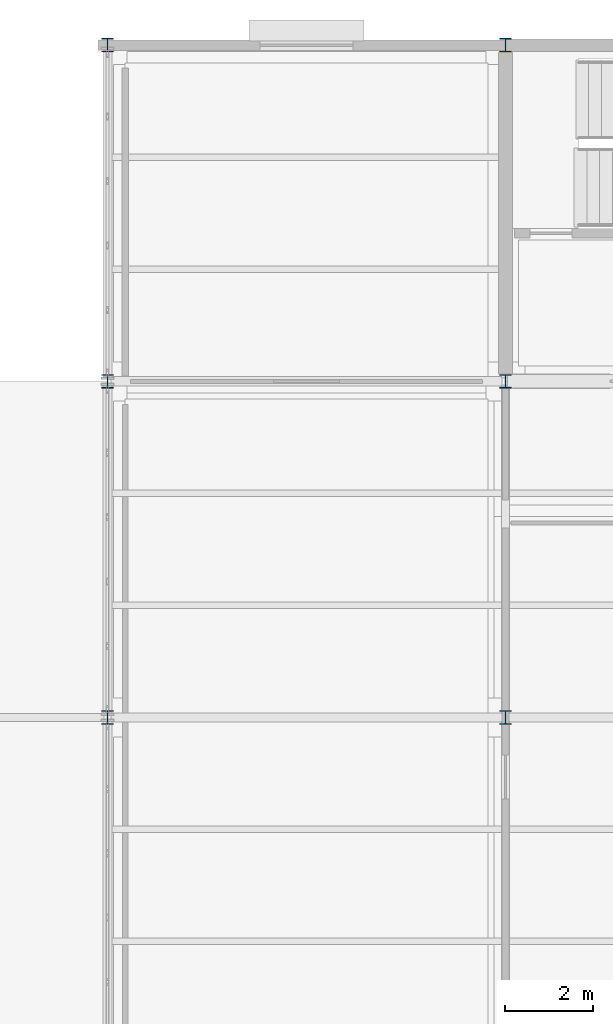
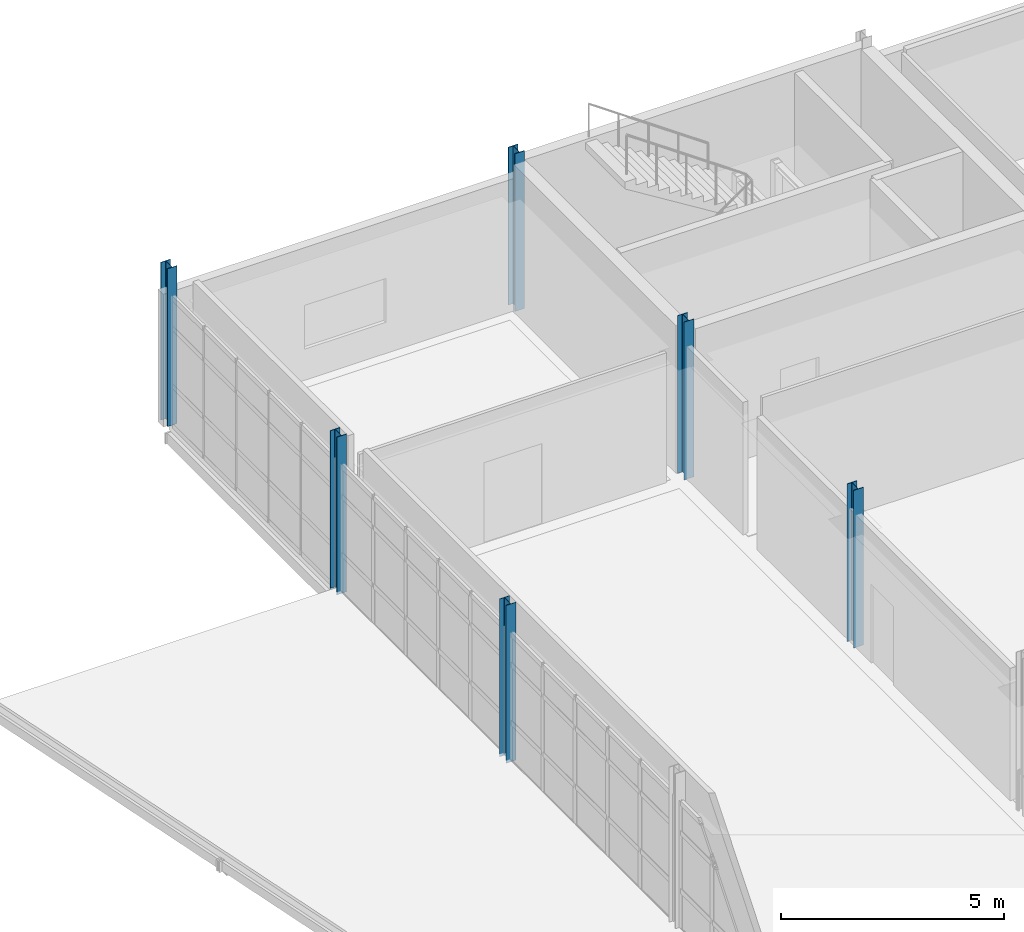
# One storey, part 12 of 96: 6 columns.
"""IFC4 building model written with IfcOpenShell, lengths in metres."""

import ifcopenshell
import ifcopenshell.guid

model = None  # the IFC model being written
_history = None  # IfcOwnerHistory: only IFC2X3 demands one
_inside = {}  # id of a spatial element -> (the spatial element, [elements in it])
_under = {}  # id of a project, library or spatial element -> (it, [spatial elements below it])
_declared = {}  # id of a project -> (the project, [libraries it declares])
_typed = {}  # id of a type object -> (the type object, [elements of that type])
_made_of = {}  # id of a material, layer set ... -> (it, [elements and type objects made of it])


def new_model(schema):
    """Start an empty IFC model of exactly this schema.

    Asked for "IFC4X3", IfcOpenShell would pick the latest addendum, in which some entities
    have other attributes; the version numbers below select the first issue.
    IFC2X3 requires an IfcOwnerHistory on every rooted entity: one is made here for all.
    """
    global model, _history
    if schema == "IFC4X3":
        model = ifcopenshell.file(schema_version=(4, 3, 0, 0))
    else:
        model = ifcopenshell.file(schema=schema)
    _inside.clear()
    _under.clear()
    _declared.clear()
    _typed.clear()
    _made_of.clear()
    _history = None
    if model.schema == "IFC2X3":
        org = make("IfcOrganization", Name="unknown")
        user = make(
            "IfcPersonAndOrganization",
            ThePerson=make("IfcPerson", FamilyName="unknown"),
            TheOrganization=org,
        )
        app = make(
            "IfcApplication",
            ApplicationDeveloper=org,
            Version="unknown",
            ApplicationFullName="unknown",
            ApplicationIdentifier="unknown",
        )
        _history = make(
            "IfcOwnerHistory",
            OwningUser=user,
            OwningApplication=app,
            ChangeAction="ADDED",
            CreationDate=0,
        )
    return model


def make(cls, **values):
    """One entity of the class cls with the attributes given. An attribute that is None is left unset."""
    return model.create_entity(
        cls, **{name: value for name, value in values.items() if value is not None}
    )


def rooted(cls, **values):
    """An entity with a GlobalId (a new one), such as an element, a storey or a relation."""
    return make(cls, GlobalId=ifcopenshell.guid.new(), OwnerHistory=_history, **values)


def si_unit(unit_type, name, prefix=None):
    """IfcSIUnit, for example si_unit("LENGTHUNIT", "METRE", prefix="MILLI")."""
    return make("IfcSIUnit", UnitType=unit_type, Prefix=prefix, Name=name)


def assignment(units):
    """IfcUnitAssignment: the units of a project."""
    return None if units is None else make("IfcUnitAssignment", Units=units)


def point(xyz):
    """IfcCartesianPoint."""
    return None if xyz is None else make("IfcCartesianPoint", Coordinates=xyz)


def direction(xyz):
    """IfcDirection."""
    return None if xyz is None else make("IfcDirection", DirectionRatios=xyz)


def frame(location, z_axis=None, x_axis=None):
    """IfcAxis2Placement3D, a coordinate frame: its origin and axes. An axis left out is left unset."""
    return make(
        "IfcAxis2Placement3D",
        Location=point(location),
        Axis=direction(z_axis),
        RefDirection=direction(x_axis),
    )


def frame_2d(location, x_axis=None):
    """IfcAxis2Placement2D, a coordinate frame in the plane: its origin and x axis."""
    return make(
        "IfcAxis2Placement2D", Location=point(location), RefDirection=direction(x_axis)
    )


def origin():
    """The frame at (0, 0, 0) with its axes left unset."""
    return frame((0.0, 0.0, 0.0))


def origin_2d():
    """The frame at (0, 0) in the plane with its x axis left unset."""
    return frame_2d((0.0, 0.0))


def place(relative_to, where):
    """IfcLocalPlacement: puts the frame where relative to a parent placement (None: the world)."""
    return make(
        "IfcLocalPlacement", PlacementRelTo=relative_to, RelativePlacement=where
    )


def context(
    kind, dimensions, precision=None, world=None, true_north=None, identifier=None
):
    """IfcGeometricRepresentationContext, for example the 3D "Model" context."""
    return make(
        "IfcGeometricRepresentationContext",
        ContextIdentifier=identifier,
        ContextType=kind,
        CoordinateSpaceDimension=dimensions,
        Precision=precision,
        WorldCoordinateSystem=world,
        TrueNorth=true_north,
    )


def subcontext(parent, identifier, kind, view, scale=None):
    """IfcGeometricRepresentationSubContext, for example "Body" below "Model"."""
    return make(
        "IfcGeometricRepresentationSubContext",
        ContextIdentifier=identifier,
        ContextType=kind,
        ParentContext=parent,
        TargetScale=scale,
        TargetView=view,
    )


def project(units=None, contexts=None):
    """IfcProject with its units and contexts."""
    return rooted(
        "IfcProject",
        Name="project",
        RepresentationContexts=contexts,
        UnitsInContext=assignment(units),
    )


def spatial(cls, under=None, at=None, **own):
    """A site, building, storey or space (cls), placed at a placement, below another one or the project."""
    s = rooted(cls, ObjectPlacement=at, **own)
    if under is not None:
        _under.setdefault(under.id(), (under, []))[1].append(s)
    return s


def profile(cls, at=None, kind="AREA", **sizes):
    """A parametric profile (cls). Its sizes go by their IFC names, for example OverallWidth=200.0."""
    return make(cls, ProfileType=kind, Position=at, **sizes)


def i_section(**sizes):
    """IfcIShapeProfileDef."""
    return profile("IfcIShapeProfileDef", **sizes)


def extrude(swept, where, along, depth):
    """IfcExtrudedAreaSolid: the profile swept, set in the frame where, extruded along a direction by depth."""
    return make(
        "IfcExtrudedAreaSolid",
        SweptArea=swept,
        Position=where,
        ExtrudedDirection=direction(along),
        Depth=depth,
    )


def shape(context_of_items, identifier, shape_type, items):
    """IfcShapeRepresentation: the items that make up one representation, for example the "Body"."""
    return make(
        "IfcShapeRepresentation",
        ContextOfItems=context_of_items,
        RepresentationIdentifier=identifier,
        RepresentationType=shape_type,
        Items=items,
    )


def material(Name=None, Category=None):
    """IfcMaterial."""
    return make("IfcMaterial", Name=Name, Category=Category)


def material_profile(
    of_material, cross_section, Name=None, Category=None, Priority=None
):
    """IfcMaterialProfile: a cross section and its material."""
    return make(
        "IfcMaterialProfile",
        Name=Name,
        Material=of_material,
        Profile=cross_section,
        Priority=Priority,
        Category=Category,
    )


def profile_set(profiles, Name=None, composite=None):
    """IfcMaterialProfileSet."""
    return make(
        "IfcMaterialProfileSet",
        Name=Name,
        MaterialProfiles=profiles,
        CompositeProfile=composite,
    )


def made_of(thing, what):
    """Note that an element or type object is made of a material, layer set ...; save() writes the relation."""
    if what is not None:
        _made_of.setdefault(what.id(), (what, []))[1].append(thing)
    return thing


def type_object(cls, material=None, **own):
    """A type object (cls), such as IfcWallType, which elements share."""
    return made_of(rooted(cls, **own), material)


def element(
    cls,
    number,
    at=None,
    inside=None,
    cuts=None,
    type_object=None,
    material=None,
    context=None,
    identifier="Body",
    shape_type=None,
    held_by="IfcProductDefinitionShape",
    body=None,
    shapes=None,
    **own,
):
    """One element of the class cls, such as IfcWall. Its Tag is "e" and its number.

    at: its placement. inside: the storey or other place that contains it. cuts: it is an
    opening in that element (IfcRelVoidsElement). A single representation is given by context,
    identifier, shape_type and body (its items); several are given by shapes. held_by: the class
    of the entity that holds the representations. save() writes the other relations.
    """
    e = rooted(cls, Tag="e%d" % number, ObjectPlacement=at, **own)
    if body is not None:
        shapes = [shape(context, identifier, shape_type, body)]
    if shapes is not None:
        e.Representation = make(held_by, Representations=shapes)
    if inside is not None:
        _inside.setdefault(inside.id(), (inside, []))[1].append(e)
    if cuts is not None:
        rooted(
            "IfcRelVoidsElement", RelatingBuildingElement=cuts, RelatedOpeningElement=e
        )
    if type_object is not None:
        _typed.setdefault(type_object.id(), (type_object, []))[1].append(e)
    return made_of(e, material)


def aggregate(whole, parts):
    """IfcRelAggregates: a whole, such as a stair, and the parts it consists of."""
    return rooted("IfcRelAggregates", RelatingObject=whole, RelatedObjects=parts)


def save(model, path):
    """Write the relations noted so far, then the file.

    IfcRelAggregates (storeys below a building ...), IfcRelContainedInSpatialStructure (elements
    in a storey), IfcRelDefinesByType, IfcRelAssociatesMaterial and IfcRelDeclares: one each for
    every whole, place, type object, material and project.
    """
    for whole, parts in _under.values():
        aggregate(whole, parts)
    for where, things in _inside.values():
        rooted(
            "IfcRelContainedInSpatialStructure",
            RelatedElements=things,
            RelatingStructure=where,
        )
    for kind, things in _typed.values():
        rooted("IfcRelDefinesByType", RelatedObjects=things, RelatingType=kind)
    for what, things in _made_of.values():
        rooted("IfcRelAssociatesMaterial", RelatedObjects=things, RelatingMaterial=what)
    for by, libraries in _declared.values():
        rooted("IfcRelDeclares", RelatingContext=by, RelatedDefinitions=libraries)
    model.write(path)


model = new_model("IFC4")

# Units and contexts
model_context = context("Model", 3, precision=1e-05, world=origin(), true_north=direction((0.0, 1.0)))
body_context = subcontext(model_context, "Body", "Model", "MODEL_VIEW")
ifc_project = project(units=[si_unit("LENGTHUNIT", "METRE"), si_unit("AREAUNIT", "SQUARE_METRE"), si_unit("VOLUMEUNIT", "CUBIC_METRE"), si_unit("PLANEANGLEUNIT", "RADIAN"), si_unit("MASSUNIT", "GRAM", prefix="KILO")], contexts=[model_context])

# Site, building, storey
site_placement = place(None, origin())
site = spatial("IfcSite", under=ifc_project, at=site_placement, CompositionType="ELEMENT")
building_placement = place(site_placement, origin())
building = spatial("IfcBuilding", under=site, at=building_placement, Name="Caisbarro Railhouse Central Library", CompositionType="ELEMENT")
storey_placement = place(building_placement, frame((0.0, 0.0, 13.679931640625)))
storey = spatial("IfcBuildingStorey", under=building, at=storey_placement, Name="L03", CompositionType="ELEMENT", Elevation=13.679931640625)

# Columns
ifc_material = material(Name="Steel ASTM A572 Grade 50", Category="steel")
ifc_material_profile = material_profile(ifc_material, i_section(OverallWidth=0.25390625, OverallDepth=0.305908203125, WebThickness=0.0087890625, FlangeThickness=0.0146484375, FilletRadius=0.014892578125, at=origin_2d()), Name="W310X79.0")
ifc_profile_set = profile_set([ifc_material_profile], Name="Steel ASTM A572 Grade 50")
column_type = type_object("IfcColumnType", Name="COL-C07", PredefinedType="COLUMN", material=ifc_profile_set)
for number, where, z_axis, x_axis, name in (
    (1, (117.0, 98.800048828125, 0.0), (0.0, 0.0, 1.0), (1.0, 0.0, 0.0), "C07 column L03 (117.0,98.8)"),
    (2, (117.0, 106.39990234375, 0.0), (0.0, 0.0, 1.0), (1.0, 0.0, 0.0), "C07 column L03 (117.0,106.4)"),
    (3, (117.0, 114.0, 0.0), (0.0, 0.0, 1.0), (1.0, 0.0, 0.0), "C07 column L03 (117.0,114.0)"),
    (4, (126.0, 98.800048828125, 0.0), (0.0, 0.0, 1.0), (1.0, 0.0, 0.0), "C07 column L03 (126.0,98.8)"),
    (5, (126.0, 106.39990234375, 0.0), (0.0, 0.0, 1.0), (1.0, 0.0, 0.0), "C07 column L03 (126.0,106.4)"),
    (6, (126.0, 114.0, 0.0), (0.0, 0.0, 1.0), (1.0, 0.0, 0.0), "C07 column L03 (126.0,114.0)"),
):
    element("IfcColumn", number, at=place(storey_placement, frame(where, z_axis=z_axis, x_axis=x_axis)), inside=storey, type_object=column_type, Name=name, PredefinedType="COLUMN", context=body_context, shape_type="SweptSolid", body=[
        extrude(i_section(OverallWidth=0.25390625, OverallDepth=0.305908203125, WebThickness=0.0087890625, FlangeThickness=0.0146484375, FilletRadius=0.014892578125, at=origin_2d()), origin(), (0.0, 0.0, 1.0), 4.320068359375),
    ])

save(model, "model.ifc")
